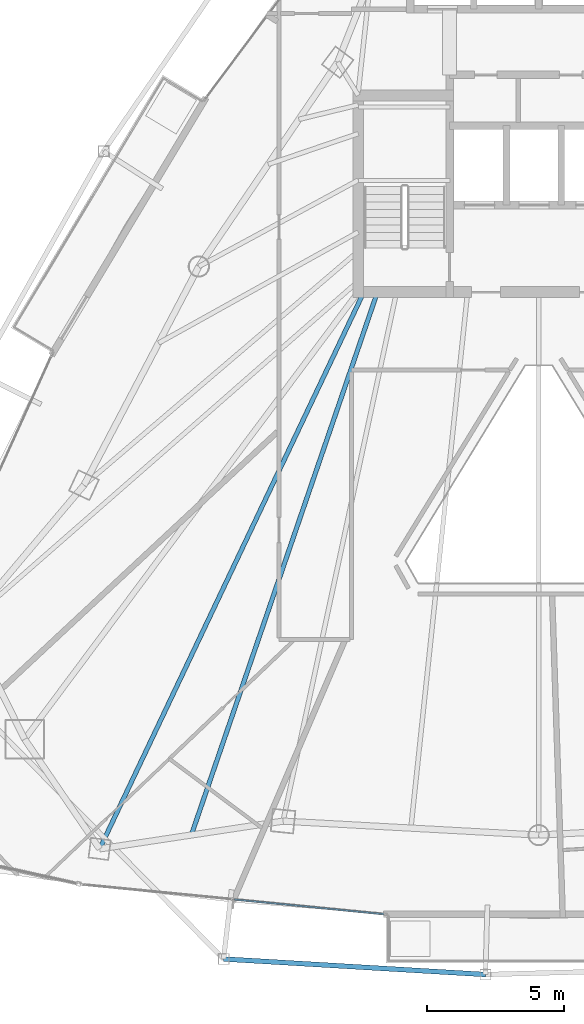
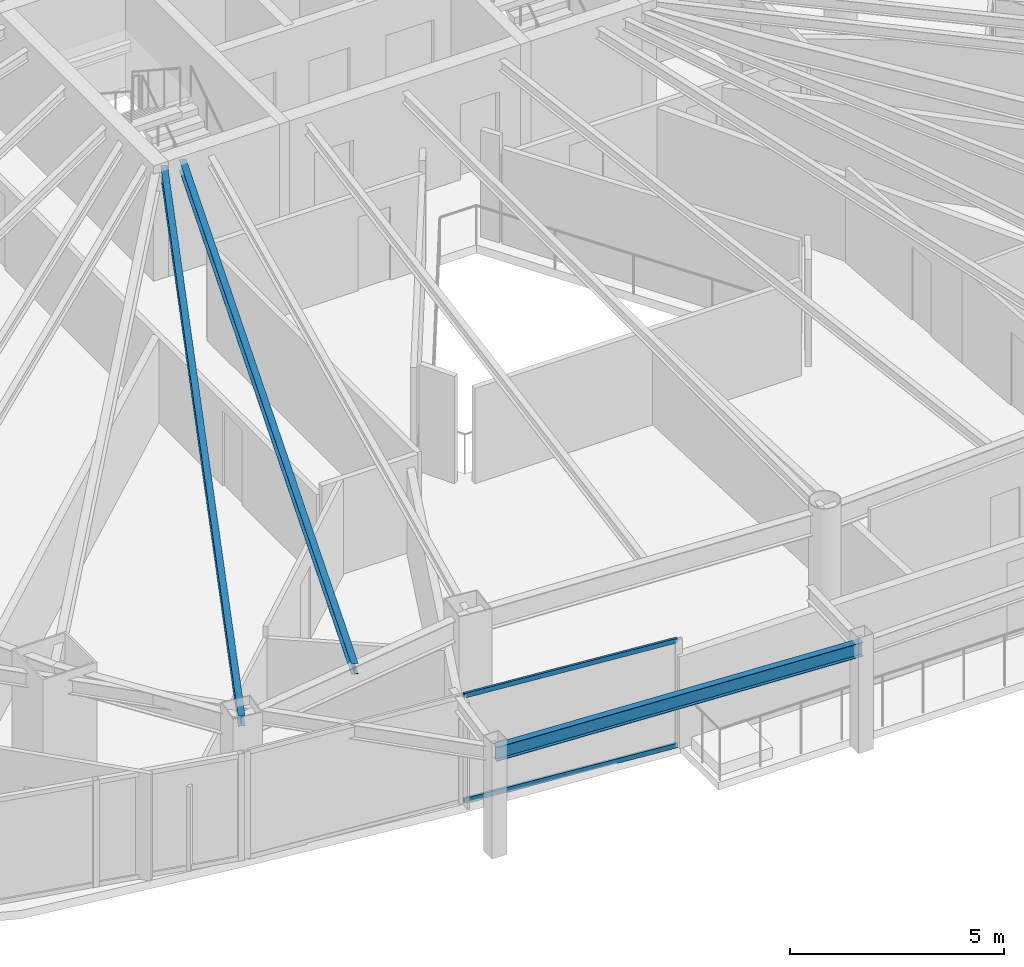
# One storey, part 6 of 29: 3 beams, 2 members, 1 element without a shape of its own.
"""IFC4 building model written with IfcOpenShell, lengths in metres."""

from ifc_helpers import new_model, si_unit, direction, frame, origin, origin_2d, place, context, subcontext, project, spatial, hollow_rectangle, i_section, extrude, material, layer, layer_set, material_profile, profile_set, type_object, element, aggregate, save


model = new_model("IFC4")

# Units and contexts
model_context = context("Model", 3, precision=1e-05, world=origin(), true_north=direction((0.0, 1.0)))
body_context = subcontext(model_context, "Body", "Model", "MODEL_VIEW")
ifc_project = project(units=[si_unit("LENGTHUNIT", "METRE"), si_unit("AREAUNIT", "SQUARE_METRE"), si_unit("VOLUMEUNIT", "CUBIC_METRE"), si_unit("PLANEANGLEUNIT", "RADIAN"), si_unit("MASSUNIT", "GRAM", prefix="KILO")], contexts=[model_context])

# Site, building, storey
site_placement = place(None, origin())
site = spatial("IfcSite", under=ifc_project, at=site_placement, CompositionType="ELEMENT")
building_placement = place(site_placement, origin())
building = spatial("IfcBuilding", under=site, at=building_placement, Name="Orvanel Arch Residences", CompositionType="ELEMENT")
storey_placement = place(building_placement, frame((0.0, 0.0, 170.449951171875)))
storey = spatial("IfcBuildingStorey", under=building, at=storey_placement, Name="L48", CompositionType="ELEMENT", Elevation=170.449951171875)

# Beams
ifc_material_1 = material(Name="Structural steel AS/NZS 3679.1 Grade 300 (300 MPa)", Category="steel")
ifc_material_profile_1 = material_profile(ifc_material_1, i_section(OverallWidth=0.1650390625, OverallDepth=0.303955078125, WebThickness=0.006103515625, FlangeThickness=0.01025390625, at=origin_2d()), Name="310UB40.4")
ifc_profile_set_1 = profile_set([ifc_material_profile_1], Name="Structural steel AS/NZS 3679.1 Grade 300 (300 MPa)")
beam_type_1 = type_object("IfcBeamType", Name="BJ-310UB", PredefinedType="JOIST", material=ifc_profile_set_1)
beam_1_placement = place(storey_placement, frame((26.60009765625, 26.699951171875, 2.907958984375), z_axis=(-0.428614365266, -0.903487534993, 0.0), x_axis=(0.903487534993, -0.428614365266, 0.0)))
element("IfcBeam", 1, at=beam_1_placement, inside=storey, type_object=beam_type_1, Name="L48 MSW Wing Floor Joist", PredefinedType="JOIST", context=body_context, shape_type="SweptSolid", body=[
    extrude(i_section(OverallWidth=0.1650390625, OverallDepth=0.303955078125, WebThickness=0.006103515625, FlangeThickness=0.01025390625, at=origin_2d()), origin(), (0.0, 0.0, 1.0), 22.535888671875),
])
beam_2_placement = place(storey_placement, frame((27.10009765625, 26.699951171875, 2.907958984375), z_axis=(-0.324257108963, -0.945968988544, 0.0), x_axis=(0.945968988544, -0.324257108963, 0.0)))
element("IfcBeam", 2, at=beam_2_placement, inside=storey, type_object=beam_type_1, Name="L48 JADD1 Wing Floor Joist", PredefinedType="JOIST", context=body_context, shape_type="SweptSolid", body=[
    extrude(i_section(OverallWidth=0.1650390625, OverallDepth=0.303955078125, WebThickness=0.006103515625, FlangeThickness=0.01025390625, at=origin_2d()), origin(), (0.0, 0.0, 1.0), 20.987060546875),
])
ifc_material_profile_2 = material_profile(ifc_material_1, i_section(OverallWidth=0.177978515625, OverallDepth=0.406005859375, WebThickness=0.0078125, FlangeThickness=0.0126953125, at=origin_2d()), Name="410UB59.7")
ifc_profile_set_2 = profile_set([ifc_material_profile_2], Name="Structural steel AS/NZS 3679.1 Grade 300 (300 MPa)")
beam_type_2 = type_object("IfcBeamType", Name="OB-410UB-EXT", PredefinedType="SPANDREL", material=ifc_profile_set_2)
beam_3_placement = place(storey_placement, frame((21.472900390625, 2.31201171875, 2.85693359375), z_axis=(0.998246276367, -0.059197734075, 0.0), x_axis=(0.059197734075, 0.998246276367, 0.0)))
element("IfcBeam", 3, at=beam_3_placement, inside=storey, type_object=beam_type_2, Name="L48 Outer Perimeter Floor Ring Beam 05", PredefinedType="SPANDREL", context=body_context, shape_type="SweptSolid", body=[
    extrude(i_section(OverallWidth=0.177978515625, OverallDepth=0.406005859375, WebThickness=0.0078125, FlangeThickness=0.0126953125, at=origin_2d()), origin(), (0.0, 0.0, 1.0), 9.596923828125),
])

# Curtain wall, members
ifc_material_2 = material(Name="Bronze-anodised aluminium AA6063-T6", Category="aluminium")
ifc_layer = layer(ifc_material_2, 0.179931640625)
ifc_layer_set = layer_set([ifc_layer], Name="Bronze-anodised aluminium AA6063-T6")
curtain_wall_type = type_object("IfcCurtainWallType", Name="CW3-MID-SYS", PredefinedType="NOTDEFINED", material=ifc_layer_set)
curtain_wall_placement = place(storey_placement, origin())
curtain_wall = element("IfcCurtainWall", 4, at=curtain_wall_placement, inside=storey, type_object=curtain_wall_type, Name="L48 CW3-MID-SYS Unitised Curtain Wall", PredefinedType="NOTDEFINED")
ifc_material_profile_3 = material_profile(ifc_material_2, hollow_rectangle(XDim=0.06005859375, YDim=0.135009765625, WallThickness=0.00390625, at=origin_2d()), Name="ALU135x60x4")
ifc_profile_set_3 = profile_set([ifc_material_profile_3], Name="Bronze-anodised aluminium AA6063-T6")
member_type = type_object("IfcMemberType", Name="TRN-135x60", PredefinedType="USERDEFINED", material=ifc_profile_set_3)
member_1_placement = place(storey_placement, frame((21.87841796875, 4.488037109375, 0.030029296875), z_axis=(0.995237597391, -0.097478842522, 0.0), x_axis=(0.097478842522, 0.995237597391, 0.0)))
member_1 = element("IfcMember", 5, at=member_1_placement, type_object=member_type, Name="CW-S3 transom 2.1", ObjectType="TRANSOM", PredefinedType="USERDEFINED", context=body_context, shape_type="SweptSolid", body=[
    extrude(hollow_rectangle(XDim=0.06005859375, YDim=0.135009765625, WallThickness=0.00390625, at=origin_2d()), origin(), (0.0, 0.0, 1.0), 5.47998046875),
])
member_2_placement = place(storey_placement, frame((21.87841796875, 4.488037109375, 3.030029296875), z_axis=(0.995237597391, -0.097478842522, 0.0), x_axis=(0.097478842522, 0.995237597391, 0.0)))
member_2 = element("IfcMember", 6, at=member_2_placement, type_object=member_type, Name="CW-S3 transom 2.2", ObjectType="TRANSOM", PredefinedType="USERDEFINED", context=body_context, shape_type="SweptSolid", body=[
    extrude(hollow_rectangle(XDim=0.06005859375, YDim=0.135009765625, WallThickness=0.00390625, at=origin_2d()), origin(), (0.0, 0.0, 1.0), 5.47998046875),
])
aggregate(curtain_wall, [member_1, member_2])

save(model, "model.ifc")
